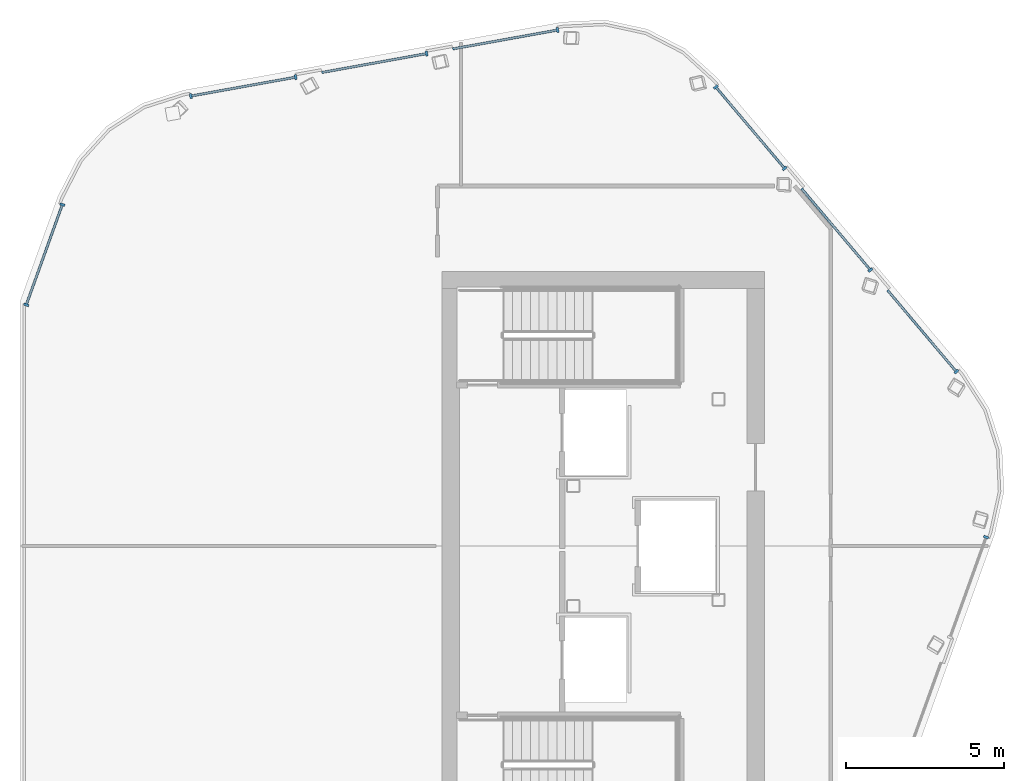
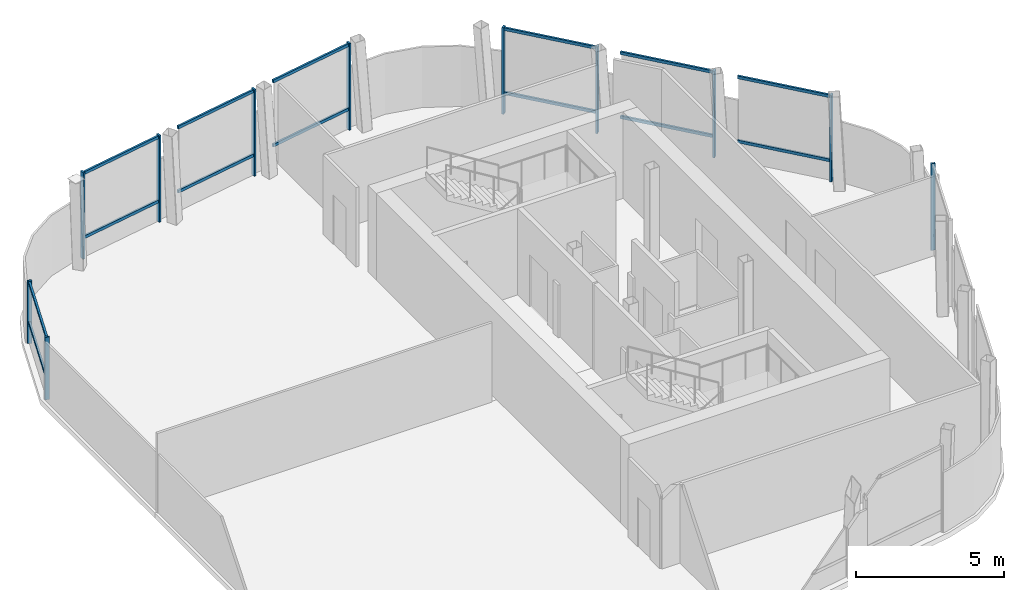
# One storey, part 3 of 8: 25 members, 4 elements without a shape of their own.
"""IFC4 building model written with IfcOpenShell, lengths in metres."""

import ifcopenshell
import ifcopenshell.guid

model = None  # the IFC model being written
_history = None  # IfcOwnerHistory: only IFC2X3 demands one
_inside = {}  # id of a spatial element -> (the spatial element, [elements in it])
_under = {}  # id of a project, library or spatial element -> (it, [spatial elements below it])
_declared = {}  # id of a project -> (the project, [libraries it declares])
_typed = {}  # id of a type object -> (the type object, [elements of that type])
_made_of = {}  # id of a material, layer set ... -> (it, [elements and type objects made of it])


def new_model(schema):
    """Start an empty IFC model of exactly this schema.

    Asked for "IFC4X3", IfcOpenShell would pick the latest addendum, in which some entities
    have other attributes; the version numbers below select the first issue.
    IFC2X3 requires an IfcOwnerHistory on every rooted entity: one is made here for all.
    """
    global model, _history
    if schema == "IFC4X3":
        model = ifcopenshell.file(schema_version=(4, 3, 0, 0))
    else:
        model = ifcopenshell.file(schema=schema)
    _inside.clear()
    _under.clear()
    _declared.clear()
    _typed.clear()
    _made_of.clear()
    _history = None
    if model.schema == "IFC2X3":
        org = make("IfcOrganization", Name="unknown")
        user = make(
            "IfcPersonAndOrganization",
            ThePerson=make("IfcPerson", FamilyName="unknown"),
            TheOrganization=org,
        )
        app = make(
            "IfcApplication",
            ApplicationDeveloper=org,
            Version="unknown",
            ApplicationFullName="unknown",
            ApplicationIdentifier="unknown",
        )
        _history = make(
            "IfcOwnerHistory",
            OwningUser=user,
            OwningApplication=app,
            ChangeAction="ADDED",
            CreationDate=0,
        )
    return model


def make(cls, **values):
    """One entity of the class cls with the attributes given. An attribute that is None is left unset."""
    return model.create_entity(
        cls, **{name: value for name, value in values.items() if value is not None}
    )


def rooted(cls, **values):
    """An entity with a GlobalId (a new one), such as an element, a storey or a relation."""
    return make(cls, GlobalId=ifcopenshell.guid.new(), OwnerHistory=_history, **values)


def si_unit(unit_type, name, prefix=None):
    """IfcSIUnit, for example si_unit("LENGTHUNIT", "METRE", prefix="MILLI")."""
    return make("IfcSIUnit", UnitType=unit_type, Prefix=prefix, Name=name)


def assignment(units):
    """IfcUnitAssignment: the units of a project."""
    return None if units is None else make("IfcUnitAssignment", Units=units)


def point(xyz):
    """IfcCartesianPoint."""
    return None if xyz is None else make("IfcCartesianPoint", Coordinates=xyz)


def direction(xyz):
    """IfcDirection."""
    return None if xyz is None else make("IfcDirection", DirectionRatios=xyz)


def frame(location, z_axis=None, x_axis=None):
    """IfcAxis2Placement3D, a coordinate frame: its origin and axes. An axis left out is left unset."""
    return make(
        "IfcAxis2Placement3D",
        Location=point(location),
        Axis=direction(z_axis),
        RefDirection=direction(x_axis),
    )


def frame_2d(location, x_axis=None):
    """IfcAxis2Placement2D, a coordinate frame in the plane: its origin and x axis."""
    return make(
        "IfcAxis2Placement2D", Location=point(location), RefDirection=direction(x_axis)
    )


def origin():
    """The frame at (0, 0, 0) with its axes left unset."""
    return frame((0.0, 0.0, 0.0))


def origin_2d():
    """The frame at (0, 0) in the plane with its x axis left unset."""
    return frame_2d((0.0, 0.0))


def place(relative_to, where):
    """IfcLocalPlacement: puts the frame where relative to a parent placement (None: the world)."""
    return make(
        "IfcLocalPlacement", PlacementRelTo=relative_to, RelativePlacement=where
    )


def context(
    kind, dimensions, precision=None, world=None, true_north=None, identifier=None
):
    """IfcGeometricRepresentationContext, for example the 3D "Model" context."""
    return make(
        "IfcGeometricRepresentationContext",
        ContextIdentifier=identifier,
        ContextType=kind,
        CoordinateSpaceDimension=dimensions,
        Precision=precision,
        WorldCoordinateSystem=world,
        TrueNorth=true_north,
    )


def subcontext(parent, identifier, kind, view, scale=None):
    """IfcGeometricRepresentationSubContext, for example "Body" below "Model"."""
    return make(
        "IfcGeometricRepresentationSubContext",
        ContextIdentifier=identifier,
        ContextType=kind,
        ParentContext=parent,
        TargetScale=scale,
        TargetView=view,
    )


def project(units=None, contexts=None):
    """IfcProject with its units and contexts."""
    return rooted(
        "IfcProject",
        Name="project",
        RepresentationContexts=contexts,
        UnitsInContext=assignment(units),
    )


def spatial(cls, under=None, at=None, **own):
    """A site, building, storey or space (cls), placed at a placement, below another one or the project."""
    s = rooted(cls, ObjectPlacement=at, **own)
    if under is not None:
        _under.setdefault(under.id(), (under, []))[1].append(s)
    return s


def profile(cls, at=None, kind="AREA", **sizes):
    """A parametric profile (cls). Its sizes go by their IFC names, for example OverallWidth=200.0."""
    return make(cls, ProfileType=kind, Position=at, **sizes)


def rectangle(**sizes):
    """IfcRectangleProfileDef."""
    return profile("IfcRectangleProfileDef", **sizes)


def extrude(swept, where, along, depth):
    """IfcExtrudedAreaSolid: the profile swept, set in the frame where, extruded along a direction by depth."""
    return make(
        "IfcExtrudedAreaSolid",
        SweptArea=swept,
        Position=where,
        ExtrudedDirection=direction(along),
        Depth=depth,
    )


def shape(context_of_items, identifier, shape_type, items):
    """IfcShapeRepresentation: the items that make up one representation, for example the "Body"."""
    return make(
        "IfcShapeRepresentation",
        ContextOfItems=context_of_items,
        RepresentationIdentifier=identifier,
        RepresentationType=shape_type,
        Items=items,
    )


def material(Name=None, Category=None):
    """IfcMaterial."""
    return make("IfcMaterial", Name=Name, Category=Category)


def layer(
    of_material, thickness, ventilated=None, Name=None, Category=None, Priority=None
):
    """IfcMaterialLayer: one layer of a wall or slab, of a material (None: an air gap)."""
    return make(
        "IfcMaterialLayer",
        Material=of_material,
        LayerThickness=thickness,
        IsVentilated=ventilated,
        Name=Name,
        Category=Category,
        Priority=Priority,
    )


def layer_set(layers, Name=None):
    """IfcMaterialLayerSet."""
    return make("IfcMaterialLayerSet", MaterialLayers=layers, LayerSetName=Name)


def material_profile(
    of_material, cross_section, Name=None, Category=None, Priority=None
):
    """IfcMaterialProfile: a cross section and its material."""
    return make(
        "IfcMaterialProfile",
        Name=Name,
        Material=of_material,
        Profile=cross_section,
        Priority=Priority,
        Category=Category,
    )


def profile_set(profiles, Name=None, composite=None):
    """IfcMaterialProfileSet."""
    return make(
        "IfcMaterialProfileSet",
        Name=Name,
        MaterialProfiles=profiles,
        CompositeProfile=composite,
    )


def made_of(thing, what):
    """Note that an element or type object is made of a material, layer set ...; save() writes the relation."""
    if what is not None:
        _made_of.setdefault(what.id(), (what, []))[1].append(thing)
    return thing


def type_object(cls, material=None, **own):
    """A type object (cls), such as IfcWallType, which elements share."""
    return made_of(rooted(cls, **own), material)


def element(
    cls,
    number,
    at=None,
    inside=None,
    cuts=None,
    type_object=None,
    material=None,
    context=None,
    identifier="Body",
    shape_type=None,
    held_by="IfcProductDefinitionShape",
    body=None,
    shapes=None,
    **own,
):
    """One element of the class cls, such as IfcWall. Its Tag is "e" and its number.

    at: its placement. inside: the storey or other place that contains it. cuts: it is an
    opening in that element (IfcRelVoidsElement). A single representation is given by context,
    identifier, shape_type and body (its items); several are given by shapes. held_by: the class
    of the entity that holds the representations. save() writes the other relations.
    """
    e = rooted(cls, Tag="e%d" % number, ObjectPlacement=at, **own)
    if body is not None:
        shapes = [shape(context, identifier, shape_type, body)]
    if shapes is not None:
        e.Representation = make(held_by, Representations=shapes)
    if inside is not None:
        _inside.setdefault(inside.id(), (inside, []))[1].append(e)
    if cuts is not None:
        rooted(
            "IfcRelVoidsElement", RelatingBuildingElement=cuts, RelatedOpeningElement=e
        )
    if type_object is not None:
        _typed.setdefault(type_object.id(), (type_object, []))[1].append(e)
    return made_of(e, material)


def aggregate(whole, parts):
    """IfcRelAggregates: a whole, such as a stair, and the parts it consists of."""
    return rooted("IfcRelAggregates", RelatingObject=whole, RelatedObjects=parts)


def save(model, path):
    """Write the relations noted so far, then the file.

    IfcRelAggregates (storeys below a building ...), IfcRelContainedInSpatialStructure (elements
    in a storey), IfcRelDefinesByType, IfcRelAssociatesMaterial and IfcRelDeclares: one each for
    every whole, place, type object, material and project.
    """
    for whole, parts in _under.values():
        aggregate(whole, parts)
    for where, things in _inside.values():
        rooted(
            "IfcRelContainedInSpatialStructure",
            RelatedElements=things,
            RelatingStructure=where,
        )
    for kind, things in _typed.values():
        rooted("IfcRelDefinesByType", RelatedObjects=things, RelatingType=kind)
    for what, things in _made_of.values():
        rooted("IfcRelAssociatesMaterial", RelatedObjects=things, RelatingMaterial=what)
    for by, libraries in _declared.values():
        rooted("IfcRelDeclares", RelatingContext=by, RelatedDefinitions=libraries)
    model.write(path)


model = new_model("IFC4")

# Units and contexts
model_context = context("Model", 3, precision=1e-05, world=origin(), true_north=direction((0.0, 1.0)))
body_context = subcontext(model_context, "Body", "Model", "MODEL_VIEW")
ifc_project = project(units=[si_unit("LENGTHUNIT", "METRE"), si_unit("AREAUNIT", "SQUARE_METRE"), si_unit("VOLUMEUNIT", "CUBIC_METRE"), si_unit("PLANEANGLEUNIT", "RADIAN"), si_unit("MASSUNIT", "GRAM", prefix="KILO")], contexts=[model_context])

# Site, building, storey
site_placement = place(None, origin())
site = spatial("IfcSite", under=ifc_project, at=site_placement, CompositionType="ELEMENT")
building_placement = place(site_placement, origin())
building = spatial("IfcBuilding", under=site, at=building_placement, Name="Valkerne Bourse Tower", CompositionType="ELEMENT")
storey_placement = place(building_placement, frame((0.0, 0.0, 326.800048828125)))
storey = spatial("IfcBuildingStorey", under=building, at=storey_placement, Name="L83", CompositionType="ELEMENT", Elevation=326.800048828125)

# Curtain wall, members
ifc_material = material(Name="Aluminium AA 6063-T6", Category="aluminium")
ifc_layer = layer(ifc_material, 0.25)
ifc_layer_set = layer_set([ifc_layer], Name="Aluminium AA 6063-T6")
curtain_wall_type = type_object("IfcCurtainWallType", Name="CW-06", PredefinedType="NOTDEFINED", material=ifc_layer_set)
curtain_wall_1_placement = place(storey_placement, origin())
curtain_wall_1 = element("IfcCurtainWall", 1, at=curtain_wall_1_placement, inside=storey, type_object=curtain_wall_type, Name="L83 Hexagonal Stick Curtain Wall Face 1", PredefinedType="NOTDEFINED")
ifc_material_profile_1 = material_profile(ifc_material, rectangle(XDim=0.074951171875, YDim=0.159912109375, at=origin_2d()), Name="CWM-75X160")
ifc_profile_set_1 = profile_set([ifc_material_profile_1], Name="Aluminium AA 6063-T6")
member_type_1 = type_object("IfcMemberType", Name="CW-MUL-160X75", PredefinedType="MULLION", material=ifc_profile_set_1)
member_1_placement = place(storey_placement, frame((49.85302734375, 43.337646484375, 0.0), z_axis=(0.0, 0.0, 1.0), x_axis=(-0.98419532574, -0.177086308879, 0.0)))
member_1 = element("IfcMember", 2, at=member_1_placement, type_object=member_type_1, Name="CW-L83-F1 Jamb Mullion 00A", PredefinedType="MULLION", context=body_context, shape_type="SweptSolid", body=[
    extrude(rectangle(XDim=0.074951171875, YDim=0.159912109375, at=origin_2d()), origin(), (0.0, 0.0, 1.0), 3.579833984375),
])
member_2_placement = place(storey_placement, frame((45.70751953125, 42.591796875, 0.0), z_axis=(0.0, 0.0, 1.0), x_axis=(-0.984194581197, -0.177090446787, 0.0)))
member_2 = element("IfcMember", 3, at=member_2_placement, type_object=member_type_1, Name="CW-L83-F1 Jamb Mullion 01A", PredefinedType="MULLION", context=body_context, shape_type="SweptSolid", body=[
    extrude(rectangle(XDim=0.074951171875, YDim=0.159912109375, at=origin_2d()), origin(), (0.0, 0.0, 1.0), 3.579833984375),
])
member_3_placement = place(storey_placement, frame((41.562255859375, 41.845703125, 0.0), z_axis=(0.0, 0.0, 1.0), x_axis=(-0.984194581197, -0.177090446787, 0.0)))
member_3 = element("IfcMember", 4, at=member_3_placement, type_object=member_type_1, Name="CW-L83-F1 Jamb Mullion 02A", PredefinedType="MULLION", context=body_context, shape_type="SweptSolid", body=[
    extrude(rectangle(XDim=0.074951171875, YDim=0.159912109375, at=origin_2d()), origin(), (0.0, 0.0, 1.0), 3.579833984375),
])
member_4_placement = place(storey_placement, frame((38.24365234375, 41.248779296875, 0.0), z_axis=(0.0, 0.0, 1.0), x_axis=(-0.984194581197, -0.177090446787, 0.0)))
member_4 = element("IfcMember", 5, at=member_4_placement, type_object=member_type_1, Name="CW-L83-F1 Jamb Mullion 02B", PredefinedType="MULLION", context=body_context, shape_type="SweptSolid", body=[
    extrude(rectangle(XDim=0.074951171875, YDim=0.159912109375, at=origin_2d()), origin(), (0.0, 0.0, 1.0), 3.579833984375),
])

curtain_wall_2_placement = place(storey_placement, origin())
curtain_wall_2 = element("IfcCurtainWall", 6, at=curtain_wall_2_placement, inside=storey, type_object=curtain_wall_type, Name="L83 Hexagonal Stick Curtain Wall Face 2", PredefinedType="NOTDEFINED")
member_5_placement = place(storey_placement, frame((34.177734375, 37.81298828125, 0.0), z_axis=(0.0, 0.0, 1.0), x_axis=(-0.338723671841, -0.940885898573, 0.0)))
member_5 = element("IfcMember", 7, at=member_5_placement, type_object=member_type_1, Name="CW-L83-F2 Jamb Mullion 00A", PredefinedType="MULLION", context=body_context, shape_type="SweptSolid", body=[
    extrude(rectangle(XDim=0.074951171875, YDim=0.159912109375, at=origin_2d()), origin(), (0.0, 0.0, 1.0), 2.5849609375),
])
member_6_placement = place(storey_placement, frame((33.03564453125, 34.64013671875, 0.0), z_axis=(0.0, 0.0, 1.0), x_axis=(-0.338723671841, -0.940885898573, 0.0)))
member_6 = element("IfcMember", 8, at=member_6_placement, type_object=member_type_1, Name="CW-L83-F2 Jamb Mullion 00B", PredefinedType="MULLION", context=body_context, shape_type="SweptSolid", body=[
    extrude(rectangle(XDim=0.074951171875, YDim=0.159912109375, at=origin_2d()), origin(), (0.0, 0.0, 1.0), 2.5849609375),
])

# Curtain wall, member
curtain_wall_3_placement = place(storey_placement, origin())
curtain_wall_3 = element("IfcCurtainWall", 9, at=curtain_wall_3_placement, inside=storey, type_object=curtain_wall_type, Name="L83 Hexagonal Stick Curtain Wall Face 5", PredefinedType="NOTDEFINED")
member_7_placement = place(storey_placement, frame((63.41796875, 27.285888671875, 0.0), z_axis=(0.0, 0.0, 1.0), x_axis=(0.338744689362, 0.940878331895, 0.0)))
member_7 = element("IfcMember", 10, at=member_7_placement, type_object=member_type_1, Name="CW-L83-F5 Jamb Mullion 02B", PredefinedType="MULLION", context=body_context, shape_type="SweptSolid", body=[
    extrude(rectangle(XDim=0.074951171875, YDim=0.159912109375, at=origin_2d()), origin(), (0.0, 0.0, 1.0), 3.579833984375),
])
aggregate(curtain_wall_3, [member_7])

# Curtain wall, members
curtain_wall_4_placement = place(storey_placement, origin())
curtain_wall_4 = element("IfcCurtainWall", 11, at=curtain_wall_4_placement, inside=storey, type_object=curtain_wall_type, Name="L83 Hexagonal Stick Curtain Wall Face 6", PredefinedType="NOTDEFINED")
member_8_placement = place(storey_placement, frame((62.475341796875, 32.52490234375, 0.0), z_axis=(0.0, 0.0, 1.0), x_axis=(-0.6454493381, 0.763803084536, 0.0)))
member_8 = element("IfcMember", 12, at=member_8_placement, type_object=member_type_1, Name="CW-L83-F6 Jamb Mullion 00A", PredefinedType="MULLION", context=body_context, shape_type="SweptSolid", body=[
    extrude(rectangle(XDim=0.074951171875, YDim=0.159912109375, at=origin_2d()), origin(), (0.0, 0.0, 1.0), 3.579833984375),
])
member_9_placement = place(storey_placement, frame((59.756591796875, 35.74169921875, 0.0), z_axis=(0.0, 0.0, 1.0), x_axis=(-0.645463188737, 0.763791379884, 0.0)))
member_9 = element("IfcMember", 13, at=member_9_placement, type_object=member_type_1, Name="CW-L83-F6 Jamb Mullion 01A", PredefinedType="MULLION", context=body_context, shape_type="SweptSolid", body=[
    extrude(rectangle(XDim=0.074951171875, YDim=0.159912109375, at=origin_2d()), origin(), (0.0, 0.0, 1.0), 3.579833984375),
])
member_10_placement = place(storey_placement, frame((57.0380859375, 38.958984375, 0.0), z_axis=(0.0, 0.0, 1.0), x_axis=(-0.645463188737, 0.763791379884, 0.0)))
member_10 = element("IfcMember", 14, at=member_10_placement, type_object=member_type_1, Name="CW-L83-F6 Jamb Mullion 02A", PredefinedType="MULLION", context=body_context, shape_type="SweptSolid", body=[
    extrude(rectangle(XDim=0.074951171875, YDim=0.159912109375, at=origin_2d()), origin(), (0.0, 0.0, 1.0), 3.579833984375),
])
member_11_placement = place(storey_placement, frame((54.861572265625, 41.534423828125, 0.0), z_axis=(0.0, 0.0, 1.0), x_axis=(-0.645463188737, 0.763791379884, 0.0)))
member_11 = element("IfcMember", 15, at=member_11_placement, type_object=member_type_1, Name="CW-L83-F6 Jamb Mullion 02B", PredefinedType="MULLION", context=body_context, shape_type="SweptSolid", body=[
    extrude(rectangle(XDim=0.074951171875, YDim=0.159912109375, at=origin_2d()), origin(), (0.0, 0.0, 1.0), 3.579833984375),
])

# Member
ifc_material_profile_2 = material_profile(ifc_material, rectangle(XDim=0.074951171875, YDim=0.1201171875, at=origin_2d()), Name="CWT-75X120")
ifc_profile_set_2 = profile_set([ifc_material_profile_2], Name="Aluminium AA 6063-T6")
member_type_2 = type_object("IfcMemberType", Name="CW-TRN-120X75", PredefinedType="USERDEFINED", material=ifc_profile_set_2)
member_12_placement = place(storey_placement, frame((49.85302734375, 43.337646484375, 0.849853515625), z_axis=(-0.9841926642, -0.177101100319, 0.0), x_axis=(0.177101100319, -0.9841926642, 0.0)))
member_12 = element("IfcMember", 16, at=member_12_placement, type_object=member_type_2, Name="CW-L83-F1 Bay Transom 00-1", ObjectType="TRANSOM", PredefinedType="USERDEFINED", context=body_context, shape_type="SweptSolid", body=[
    extrude(rectangle(XDim=0.074951171875, YDim=0.1201171875, at=origin_2d()), origin(), (0.0, 0.0, 1.0), 3.371826171875),
])

member_13_placement = place(storey_placement, frame((49.85302734375, 43.337646484375, 3.5), z_axis=(-0.9841926642, -0.177101100319, 0.0), x_axis=(0.177101100319, -0.9841926642, 0.0)))
member_13 = element("IfcMember", 17, at=member_13_placement, type_object=member_type_2, Name="CW-L83-F1 Bay Transom 00-2", ObjectType="TRANSOM", PredefinedType="USERDEFINED", context=body_context, shape_type="SweptSolid", body=[
    extrude(rectangle(XDim=0.074951171875, YDim=0.1201171875, at=origin_2d()), origin(), (0.0, 0.0, 1.0), 3.371826171875),
])

member_14_placement = place(storey_placement, frame((45.70751953125, 42.591796875, 0.849853515625), z_axis=(-0.9841926642, -0.177101100319, 0.0), x_axis=(0.177101100319, -0.9841926642, 0.0)))
member_14 = element("IfcMember", 18, at=member_14_placement, type_object=member_type_2, Name="CW-L83-F1 Bay Transom 01-1", ObjectType="TRANSOM", PredefinedType="USERDEFINED", context=body_context, shape_type="SweptSolid", body=[
    extrude(rectangle(XDim=0.074951171875, YDim=0.1201171875, at=origin_2d()), origin(), (0.0, 0.0, 1.0), 3.371826171875),
])

member_15_placement = place(storey_placement, frame((45.70751953125, 42.591796875, 3.5), z_axis=(-0.9841926642, -0.177101100319, 0.0), x_axis=(0.177101100319, -0.9841926642, 0.0)))
member_15 = element("IfcMember", 19, at=member_15_placement, type_object=member_type_2, Name="CW-L83-F1 Bay Transom 01-2", ObjectType="TRANSOM", PredefinedType="USERDEFINED", context=body_context, shape_type="SweptSolid", body=[
    extrude(rectangle(XDim=0.074951171875, YDim=0.1201171875, at=origin_2d()), origin(), (0.0, 0.0, 1.0), 3.371826171875),
])

member_16_placement = place(storey_placement, frame((41.562255859375, 41.845703125, 0.849853515625), z_axis=(-0.984205282062, -0.177030965544, 0.0), x_axis=(0.177030965544, -0.984205282062, 0.0)))
member_16 = element("IfcMember", 20, at=member_16_placement, type_object=member_type_2, Name="CW-L83-F1 Bay Transom 02-1", ObjectType="TRANSOM", PredefinedType="USERDEFINED", context=body_context, shape_type="SweptSolid", body=[
    extrude(rectangle(XDim=0.074951171875, YDim=0.1201171875, at=origin_2d()), origin(), (0.0, 0.0, 1.0), 3.371826171875),
])

member_17_placement = place(storey_placement, frame((41.562255859375, 41.845703125, 3.5), z_axis=(-0.984205282062, -0.177030965544, 0.0), x_axis=(0.177030965544, -0.984205282062, 0.0)))
member_17 = element("IfcMember", 21, at=member_17_placement, type_object=member_type_2, Name="CW-L83-F1 Bay Transom 02-2", ObjectType="TRANSOM", PredefinedType="USERDEFINED", context=body_context, shape_type="SweptSolid", body=[
    extrude(rectangle(XDim=0.074951171875, YDim=0.1201171875, at=origin_2d()), origin(), (0.0, 0.0, 1.0), 3.371826171875),
])

aggregate(curtain_wall_1, [member_1, member_12, member_13, member_2, member_14, member_15, member_3, member_4, member_16, member_17])

member_18_placement = place(storey_placement, frame((34.177734375, 37.81298828125, 0.849853515625), z_axis=(-0.338683576059, -0.940900332292, 0.0), x_axis=(0.940900332292, -0.338683576059, 0.0)))
member_18 = element("IfcMember", 22, at=member_18_placement, type_object=member_type_2, Name="CW-L83-F2 Bay Transom 00-1", ObjectType="TRANSOM", PredefinedType="USERDEFINED", context=body_context, shape_type="SweptSolid", body=[
    extrude(rectangle(XDim=0.074951171875, YDim=0.1201171875, at=origin_2d()), origin(), (0.0, 0.0, 1.0), 3.3720703125),
])

member_19_placement = place(storey_placement, frame((34.177734375, 37.81298828125, 2.505126953125), z_axis=(-0.338683576059, -0.940900332292, 0.0), x_axis=(0.940900332292, -0.338683576059, 0.0)))
member_19 = element("IfcMember", 23, at=member_19_placement, type_object=member_type_2, Name="CW-L83-F2 Bay Transom 00-2", ObjectType="TRANSOM", PredefinedType="USERDEFINED", context=body_context, shape_type="SweptSolid", body=[
    extrude(rectangle(XDim=0.074951171875, YDim=0.1201171875, at=origin_2d()), origin(), (0.0, 0.0, 1.0), 3.3720703125),
])

aggregate(curtain_wall_2, [member_5, member_6, member_18, member_19])

member_20_placement = place(storey_placement, frame((62.475341796875, 32.52490234375, 0.849853515625), z_axis=(-0.645474745108, 0.763781613701, 0.0), x_axis=(-0.763781613701, -0.645474745108, 0.0)))
member_20 = element("IfcMember", 24, at=member_20_placement, type_object=member_type_2, Name="CW-L83-F6 Bay Transom 00-1", ObjectType="TRANSOM", PredefinedType="USERDEFINED", context=body_context, shape_type="SweptSolid", body=[
    extrude(rectangle(XDim=0.074951171875, YDim=0.1201171875, at=origin_2d()), origin(), (0.0, 0.0, 1.0), 3.3720703125),
])

member_21_placement = place(storey_placement, frame((62.475341796875, 32.52490234375, 3.5), z_axis=(-0.645474745108, 0.763781613701, 0.0), x_axis=(-0.763781613701, -0.645474745108, 0.0)))
member_21 = element("IfcMember", 25, at=member_21_placement, type_object=member_type_2, Name="CW-L83-F6 Bay Transom 00-2", ObjectType="TRANSOM", PredefinedType="USERDEFINED", context=body_context, shape_type="SweptSolid", body=[
    extrude(rectangle(XDim=0.074951171875, YDim=0.1201171875, at=origin_2d()), origin(), (0.0, 0.0, 1.0), 3.3720703125),
])

member_22_placement = place(storey_placement, frame((59.756591796875, 35.74169921875, 0.849853515625), z_axis=(-0.645439051461, 0.763811777108, 0.0), x_axis=(-0.763811777108, -0.645439051461, 0.0)))
member_22 = element("IfcMember", 26, at=member_22_placement, type_object=member_type_2, Name="CW-L83-F6 Bay Transom 01-1", ObjectType="TRANSOM", PredefinedType="USERDEFINED", context=body_context, shape_type="SweptSolid", body=[
    extrude(rectangle(XDim=0.074951171875, YDim=0.1201171875, at=origin_2d()), origin(), (0.0, 0.0, 1.0), 3.3720703125),
])

member_23_placement = place(storey_placement, frame((59.756591796875, 35.74169921875, 3.5), z_axis=(-0.645439051461, 0.763811777108, 0.0), x_axis=(-0.763811777108, -0.645439051461, 0.0)))
member_23 = element("IfcMember", 27, at=member_23_placement, type_object=member_type_2, Name="CW-L83-F6 Bay Transom 01-2", ObjectType="TRANSOM", PredefinedType="USERDEFINED", context=body_context, shape_type="SweptSolid", body=[
    extrude(rectangle(XDim=0.074951171875, YDim=0.1201171875, at=origin_2d()), origin(), (0.0, 0.0, 1.0), 3.3720703125),
])

member_24_placement = place(storey_placement, frame((57.0380859375, 38.958984375, 0.849853515625), z_axis=(-0.645474745108, 0.763781613701, 0.0), x_axis=(-0.763781613701, -0.645474745108, 0.0)))
member_24 = element("IfcMember", 28, at=member_24_placement, type_object=member_type_2, Name="CW-L83-F6 Bay Transom 02-1", ObjectType="TRANSOM", PredefinedType="USERDEFINED", context=body_context, shape_type="SweptSolid", body=[
    extrude(rectangle(XDim=0.074951171875, YDim=0.1201171875, at=origin_2d()), origin(), (0.0, 0.0, 1.0), 3.3720703125),
])

member_25_placement = place(storey_placement, frame((57.0380859375, 38.958984375, 3.5), z_axis=(-0.645474745108, 0.763781613701, 0.0), x_axis=(-0.763781613701, -0.645474745108, 0.0)))
member_25 = element("IfcMember", 29, at=member_25_placement, type_object=member_type_2, Name="CW-L83-F6 Bay Transom 02-2", ObjectType="TRANSOM", PredefinedType="USERDEFINED", context=body_context, shape_type="SweptSolid", body=[
    extrude(rectangle(XDim=0.074951171875, YDim=0.1201171875, at=origin_2d()), origin(), (0.0, 0.0, 1.0), 3.3720703125),
])

aggregate(curtain_wall_4, [member_8, member_20, member_21, member_9, member_22, member_23, member_10, member_11, member_24, member_25])

save(model, "model.ifc")
